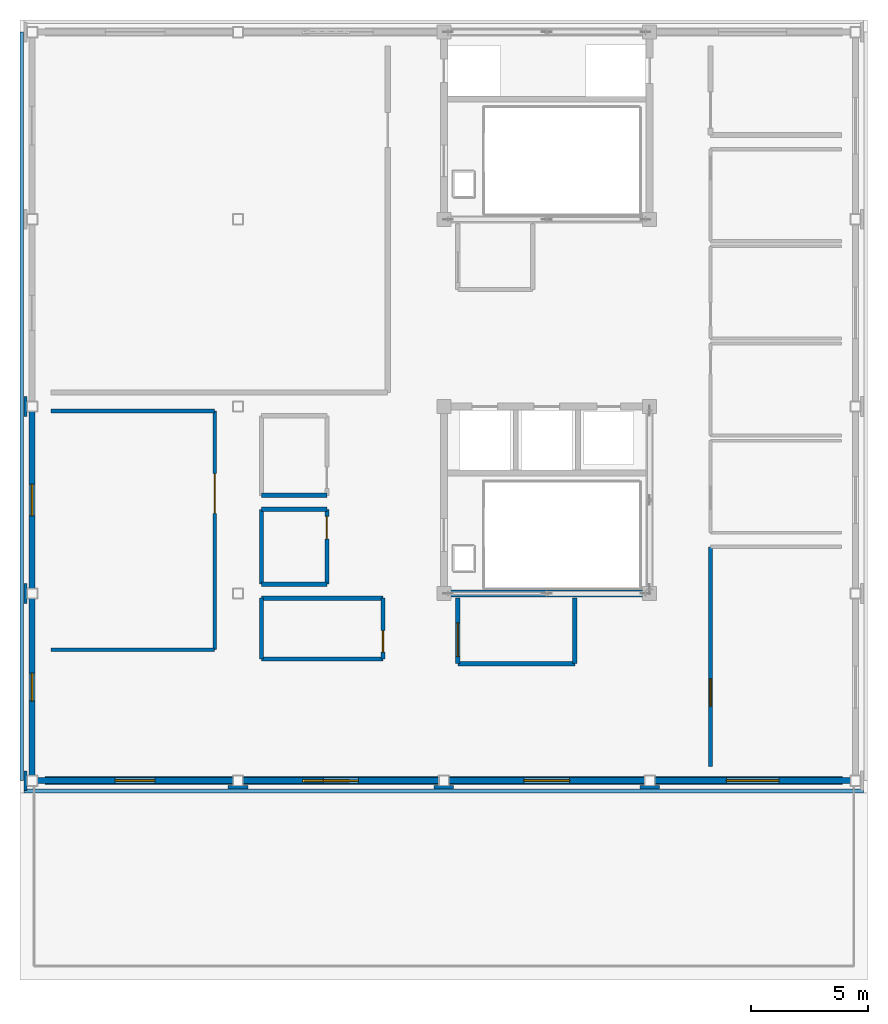
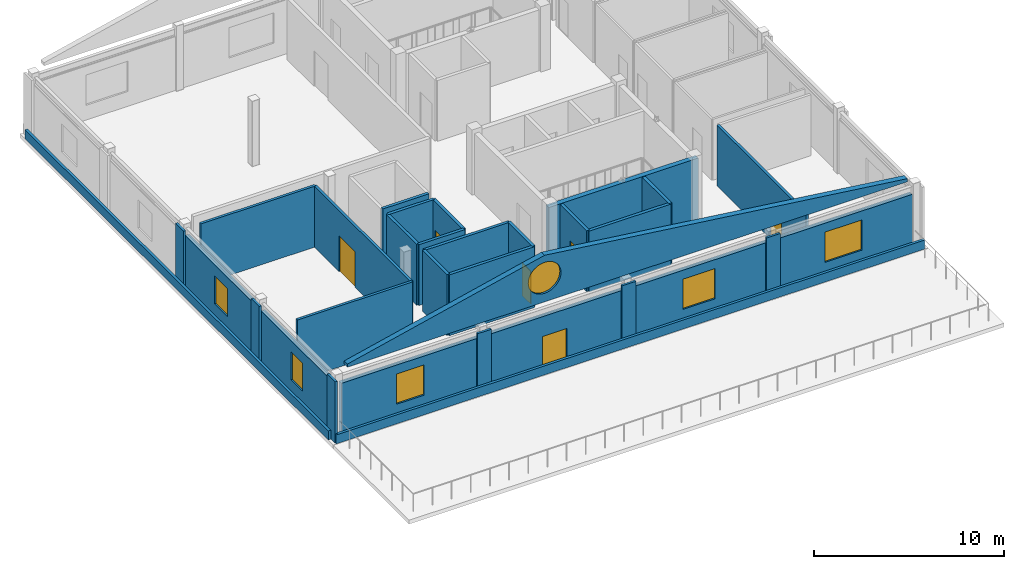
# One storey, part 7 of 10: 32 walls, 6 doors, 6 windows, 12 openings.
"""IFC4 building model written with IfcOpenShell, lengths in metres."""

from ifc_helpers import new_model, si_unit, direction, frame, frame_2d, origin, place, context, subcontext, project, spatial, polyline, rectangle, outline, extrude, material, layer, layer_set, type_object, element, fill, save


model = new_model("IFC4")

# Units and contexts
model_context = context("Model", 3, precision=1e-05, world=origin(), true_north=direction((0.0, 1.0)))
body_context = subcontext(model_context, "Body", "Model", "MODEL_VIEW")
ifc_project = project(units=[si_unit("LENGTHUNIT", "METRE"), si_unit("AREAUNIT", "SQUARE_METRE"), si_unit("VOLUMEUNIT", "CUBIC_METRE"), si_unit("PLANEANGLEUNIT", "RADIAN"), si_unit("MASSUNIT", "GRAM", prefix="KILO")], contexts=[model_context])

# Site, building, storey
site_placement = place(None, origin())
site = spatial("IfcSite", under=ifc_project, at=site_placement, CompositionType="ELEMENT")
building_placement = place(site_placement, origin())
building = spatial("IfcBuilding", under=site, at=building_placement, Name="Zhaolan Boulevard Law Courts", CompositionType="ELEMENT")
storey_placement = place(building_placement, frame((0.0, 0.0, 41.39990234375)))
storey = spatial("IfcBuildingStorey", under=building, at=storey_placement, Name="L09", CompositionType="ELEMENT", Elevation=41.39990234375)

# Walls
ifc_material_1 = material(Name="Concrete C50", Category="concrete")
ifc_layer_1 = layer(ifc_material_1, 0.300048828125)
ifc_layer_set_1 = layer_set([ifc_layer_1])
wall_type_1 = type_object("IfcWallType", Name="CORE SHEAR WALL 300", PredefinedType="SHEAR", material=ifc_layer_set_1)
wall_1_placement = place(storey_placement, frame((17.449951171875, 46.0, 0.0), z_axis=(0.0, 0.0, 1.0), x_axis=(1.0, 0.0, 0.0)))
element("IfcWall", 1, at=wall_1_placement, inside=storey, type_object=wall_type_1, Name="Core Shear Wall CW-W1-L09S", PredefinedType="SHEAR", context=body_context, shape_type="SweptSolid", body=[
    extrude(rectangle(XDim=9.10009765625, YDim=0.300048828125, at=frame_2d((4.550048828125, 0.0))), origin(), (0.0, 0.0, 1.0), 3.920166015625),
])
ifc_material_2 = material(Name="Concrete C40", Category="concrete")
ifc_layer_2 = layer(ifc_material_2, 0.139892578125)
ifc_layer_set_2 = layer_set([ifc_layer_2])
wall_type_2 = type_object("IfcWallType", Name="EXT WALL ARCH CLAD140", PredefinedType="SOLIDWALL", material=ifc_layer_set_2)
for number, where, z_axis, x_axis, name in (
    (2, (-0.280029296875, 37.580078125, 0.0), (0.0, 0.0, 1.0), (0.0, 1.0, 0.0), "Concrete Column Cloak Pier CPR-202"),
    (3, (-0.280029296875, 45.580078125, 0.0), (0.0, 0.0, 1.0), (0.0, 1.0, 0.0), "Concrete Column Cloak Pier CPR-204"),
    (4, (-0.280029296875, 53.580078125, 0.0), (0.0, 0.0, 1.0), (0.0, 1.0, 0.0), "Concrete Column Cloak Pier CPR-206"),
):
    element("IfcWall", number, at=place(storey_placement, frame(where, z_axis=z_axis, x_axis=x_axis)), inside=storey, type_object=wall_type_2, Name=name, PredefinedType="SOLIDWALL", context=body_context, shape_type="SweptSolid", body=[
        extrude(rectangle(XDim=0.83984375, YDim=0.139892578125, at=frame_2d((0.419921875, 0.0))), origin(), (0.0, 0.0, 1.0), 3.940185546875),
    ])
for number, where, z_axis, x_axis, name in (
    (5, (8.3798828125, 37.719970703125, 0.0), (0.0, 0.0, 1.0), (1.0, 0.0, 0.0), "Concrete Column Cloak Pier CPR-212"),
    (6, (17.179931640625, 37.719970703125, 0.0), (0.0, 0.0, 1.0), (1.0, 0.0, 0.0), "Concrete Column Cloak Pier CPR-213"),
    (7, (25.97998046875, 37.719970703125, 0.0), (0.0, 0.0, 1.0), (1.0, 0.0, 0.0), "Concrete Column Cloak Pier CPR-214"),
):
    element("IfcWall", number, at=place(storey_placement, frame(where, z_axis=z_axis, x_axis=x_axis)), inside=storey, type_object=wall_type_2, Name=name, PredefinedType="SOLIDWALL", context=body_context, shape_type="SweptSolid", body=[
        extrude(rectangle(XDim=0.840087890625, YDim=0.139892578125, at=frame_2d((0.419921875, 0.0))), origin(), (0.0, 0.0, 1.0), 3.940185546875),
    ])
ifc_material_3 = material(Name="Concrete C40", Category="concrete")
ifc_layer_3 = layer(ifc_material_3, 0.159912109375)
ifc_layer_set_3 = layer_set([ifc_layer_3])
wall_type_3 = type_object("IfcWallType", Name="EXT WALL ARCH CLAD160", PredefinedType="SOLIDWALL", material=ifc_layer_set_3)
wall_2_placement = place(storey_placement, frame((-0.43994140625, 70.0, 0.0), z_axis=(0.0, 0.0, 1.0), x_axis=(0.0, -1.0, 0.0)))
element("IfcWall", 8, at=wall_2_placement, inside=storey, type_object=wall_type_3, Name="Sculpted Concrete Spandrel Band CBW-198", PredefinedType="SOLIDWALL", context=body_context, shape_type="SweptSolid", body=[
    extrude(rectangle(XDim=32.0, YDim=0.159912109375, at=frame_2d((16.0, 0.0))), origin(), (0.0, 0.0, 1.0), 0.580078125),
])
wall_3_placement = place(storey_placement, frame((-0.340087890625, 37.56005859375, 0.0), z_axis=(0.0, 0.0, 1.0), x_axis=(1.0, 0.0, 0.0)))
element("IfcWall", 9, at=wall_3_placement, inside=storey, type_object=wall_type_3, Name="Sculpted Concrete Spandrel Band CBW-200", PredefinedType="SOLIDWALL", context=body_context, shape_type="SweptSolid", body=[
    extrude(rectangle(XDim=35.880126953125, YDim=0.159912109375, at=frame_2d((17.93994140625, 0.0))), origin(), (0.0, 0.0, 1.0), 0.580078125),
])

# Wall, opening, window
ifc_material_4 = material(Name="Concrete C40", Category="concrete")
ifc_layer_4 = layer(ifc_material_4, 0.260009765625)
ifc_layer_set_4 = layer_set([ifc_layer_4])
wall_type_4 = type_object("IfcWallType", Name="EXT WALL CONCRETE260", PredefinedType="SOLIDWALL", material=ifc_layer_set_4)
wall_4_placement = place(storey_placement, frame((0.220947265625, 38.0, 0.0), z_axis=(0.0, 0.0, 1.0), x_axis=(1.0, 0.0, 0.0)))
wall_4 = element("IfcWall", 10, at=wall_4_placement, inside=storey, type_object=wall_type_4, Name="Exterior Wall EW-L09-425", PredefinedType="SOLIDWALL", context=body_context, shape_type="SweptSolid", body=[
    extrude(rectangle(XDim=8.358154296875, YDim=0.260009765625, at=frame_2d((4.17919921875, 0.0))), origin(), (0.0, 0.0, 1.0), 3.47314453125),
])
opening_1_placement = place(wall_4_placement, frame((3.3291015625, 0.0, 0.949951171875)))
opening_1 = element("IfcOpeningElement", 11, at=opening_1_placement, cuts=wall_4, Name="Opening WIN-L09-274", PredefinedType="OPENING", context=body_context, shape_type="SweptSolid", body=[
    extrude(rectangle(XDim=1.699951171875, YDim=1.949951171875, at=frame_2d((0.85009765625, 0.97509765625))), frame((0.0, 0.139892578125, 0.0), z_axis=(0.0, -1.0, 0.0), x_axis=(1.0, 0.0, 0.0)), (0.0, 0.0, 1.0), 0.280029296875),
])
ifc_material_5 = material(Name="Thermally broken aluminium and low-E glazing", Category="aluminium")
window_type_1 = type_object("IfcWindowType", Name="WINDOW 1700X1950", PartitioningType="SINGLE_PANEL", PredefinedType="WINDOW", material=ifc_material_5)
window_1_placement = place(opening_1_placement, origin())
window_1 = element("IfcWindow", 12, at=window_1_placement, inside=storey, type_object=window_type_1, Name="Exterior Window WIN-L09-274", OverallHeight=1.949951171875, OverallWidth=1.699951171875, PartitioningType="SINGLE_PANEL", PredefinedType="WINDOW", context=body_context, shape_type="SweptSolid", body=[
    extrude(rectangle(XDim=1.699951171875, YDim=1.949951171875, at=frame_2d((0.85009765625, 0.97509765625))), frame((0.0, 0.030029296875, 0.0), z_axis=(0.0, -1.0, 0.0), x_axis=(1.0, 0.0, 0.0)), (0.0, 0.0, 1.0), 0.06005859375),
])
fill(opening_1, window_1)

# Wall, opening, door
wall_5_placement = place(storey_placement, frame((9.02099609375, 38.0, 0.0), z_axis=(0.0, 0.0, 1.0), x_axis=(1.0, 0.0, 0.0)))
wall_5 = element("IfcWall", 13, at=wall_5_placement, inside=storey, type_object=wall_type_4, Name="Exterior Wall EW-L09-426", PredefinedType="SOLIDWALL", context=body_context, shape_type="SweptSolid", body=[
    extrude(rectangle(XDim=8.35791015625, YDim=0.260009765625, at=frame_2d((4.178955078125, 0.0))), origin(), (0.0, 0.0, 1.0), 3.47314453125),
])
opening_2_placement = place(wall_5_placement, frame((3.428955078125, 0.0, 0.0)))
opening_2 = element("IfcOpeningElement", 14, at=opening_2_placement, cuts=wall_5, Name="Opening TD-L09-01", PredefinedType="OPENING", context=body_context, shape_type="SweptSolid", body=[
    extrude(rectangle(XDim=1.5, YDim=2.199951171875, at=frame_2d((0.75, 1.10009765625))), frame((0.0, 0.139892578125, 0.0), z_axis=(0.0, -1.0, 0.0), x_axis=(1.0, 0.0, 0.0)), (0.0, 0.0, 1.0), 0.280029296875),
])
ifc_material_6 = material(Name="Insulated powder-coated steel and safety glass", Category="steel")
door_type_1 = type_object("IfcDoorType", Name="TERRACE DOOR 1500X2200", OperationType="SINGLE_SWING_LEFT", PredefinedType="DOOR", material=ifc_material_6)
door_1_placement = place(opening_2_placement, origin())
door_1 = element("IfcDoor", 15, at=door_1_placement, inside=storey, type_object=door_type_1, Name="Terrace Access Door TD-L09-01", OperationType="SINGLE_SWING_LEFT", OverallHeight=2.199951171875, OverallWidth=1.5, PredefinedType="DOOR", context=body_context, shape_type="SweptSolid", body=[
    extrude(rectangle(XDim=1.5, YDim=2.199951171875, at=frame_2d((0.75, 1.10009765625))), frame((0.0, 0.02490234375, 0.0), z_axis=(0.0, -1.0, 0.0), x_axis=(1.0, 0.0, 0.0)), (0.0, 0.0, 1.0), 0.050048828125),
])
fill(opening_2, door_1)

# Wall, opening, window
wall_6_placement = place(storey_placement, frame((17.821044921875, 38.0, 0.0), z_axis=(0.0, 0.0, 1.0), x_axis=(1.0, 0.0, 0.0)))
wall_6 = element("IfcWall", 16, at=wall_6_placement, inside=storey, type_object=wall_type_4, Name="Exterior Wall EW-L09-427", PredefinedType="SOLIDWALL", context=body_context, shape_type="SweptSolid", body=[
    extrude(rectangle(XDim=8.35791015625, YDim=0.260009765625, at=frame_2d((4.178955078125, 0.0))), origin(), (0.0, 0.0, 1.0), 3.47314453125),
])
opening_3_placement = place(wall_6_placement, frame((3.2041015625, 0.0, 0.949951171875)))
opening_3 = element("IfcOpeningElement", 17, at=opening_3_placement, cuts=wall_6, Name="Opening WIN-L09-275", PredefinedType="OPENING", context=body_context, shape_type="SweptSolid", body=[
    extrude(rectangle(XDim=1.949951171875, YDim=1.949951171875, at=frame_2d((0.97509765625, 0.97509765625))), frame((0.0, 0.139892578125, 0.0), z_axis=(0.0, -1.0, 0.0), x_axis=(1.0, 0.0, 0.0)), (0.0, 0.0, 1.0), 0.280029296875),
])
ifc_material_7 = material(Name="Thermally broken aluminium and low-E glazing", Category="aluminium")
window_type_2 = type_object("IfcWindowType", Name="WINDOW 1950X1950", PartitioningType="DOUBLE_PANEL_VERTICAL", PredefinedType="WINDOW", material=ifc_material_7)
window_2_placement = place(opening_3_placement, origin())
window_2 = element("IfcWindow", 18, at=window_2_placement, inside=storey, type_object=window_type_2, Name="Exterior Window WIN-L09-275", OverallHeight=1.949951171875, OverallWidth=1.949951171875, PartitioningType="SINGLE_PANEL", PredefinedType="WINDOW", context=body_context, shape_type="SweptSolid", body=[
    extrude(rectangle(XDim=1.949951171875, YDim=1.949951171875, at=frame_2d((0.97509765625, 0.97509765625))), frame((0.0, 0.030029296875, 0.0), z_axis=(0.0, -1.0, 0.0), x_axis=(1.0, 0.0, 0.0)), (0.0, 0.0, 1.0), 0.06005859375),
])
fill(opening_3, window_2)

wall_7_placement = place(storey_placement, frame((26.62109375, 38.0, 0.0), z_axis=(0.0, 0.0, 1.0), x_axis=(1.0, 0.0, 0.0)))
wall_7 = element("IfcWall", 19, at=wall_7_placement, inside=storey, type_object=wall_type_4, Name="Exterior Wall EW-L09-428", PredefinedType="SOLIDWALL", context=body_context, shape_type="SweptSolid", body=[
    extrude(rectangle(XDim=8.35791015625, YDim=0.260009765625, at=frame_2d((4.178955078125, 0.0))), origin(), (0.0, 0.0, 1.0), 3.47314453125),
])
opening_4_placement = place(wall_7_placement, frame((3.053955078125, 0.0, 0.949951171875)))
opening_4 = element("IfcOpeningElement", 20, at=opening_4_placement, cuts=wall_7, Name="Opening WIN-L09-276", PredefinedType="OPENING", context=body_context, shape_type="SweptSolid", body=[
    extrude(rectangle(XDim=2.25, YDim=1.949951171875, at=frame_2d((1.125, 0.97509765625))), frame((0.0, 0.139892578125, 0.0), z_axis=(0.0, -1.0, 0.0), x_axis=(1.0, 0.0, 0.0)), (0.0, 0.0, 1.0), 0.280029296875),
])
ifc_material_8 = material(Name="Thermally broken aluminium and low-E glazing", Category="aluminium")
window_type_3 = type_object("IfcWindowType", Name="WINDOW 2250X1950", PartitioningType="DOUBLE_PANEL_VERTICAL", PredefinedType="WINDOW", material=ifc_material_8)
window_3_placement = place(opening_4_placement, origin())
window_3 = element("IfcWindow", 21, at=window_3_placement, inside=storey, type_object=window_type_3, Name="Exterior Window WIN-L09-276", OverallHeight=1.949951171875, OverallWidth=2.25, PartitioningType="SINGLE_PANEL", PredefinedType="WINDOW", context=body_context, shape_type="SweptSolid", body=[
    extrude(rectangle(XDim=2.25, YDim=1.949951171875, at=frame_2d((1.125, 0.97509765625))), frame((0.0, 0.030029296875, 0.0), z_axis=(0.0, -1.0, 0.0), x_axis=(1.0, 0.0, 0.0)), (0.0, 0.0, 1.0), 0.06005859375),
])
fill(opening_4, window_3)

wall_8_placement = place(storey_placement, frame((0.0, 45.779052734375, 0.0), z_axis=(0.0, 0.0, 1.0), x_axis=(0.0, -1.0, 0.0)))
wall_8 = element("IfcWall", 22, at=wall_8_placement, inside=storey, type_object=wall_type_4, Name="Exterior Wall EW-L09-432", PredefinedType="SOLIDWALL", context=body_context, shape_type="SweptSolid", body=[
    extrude(rectangle(XDim=7.55810546875, YDim=0.260009765625, at=frame_2d((3.779052734375, 0.0))), origin(), (0.0, 0.0, 1.0), 3.47314453125),
])
opening_5_placement = place(wall_8_placement, frame((3.178955078125, 0.0, 0.949951171875)))
opening_5 = element("IfcOpeningElement", 23, at=opening_5_placement, cuts=wall_8, Name="Opening WIN-L09-280", PredefinedType="OPENING", context=body_context, shape_type="SweptSolid", body=[
    extrude(rectangle(XDim=1.199951171875, YDim=1.800048828125, at=frame_2d((0.60009765625, 0.89990234375))), frame((0.0, 0.139892578125, 0.0), z_axis=(0.0, -1.0, 0.0), x_axis=(1.0, 0.0, 0.0)), (0.0, 0.0, 1.0), 0.280029296875),
])
ifc_material_9 = material(Name="Thermally broken aluminium and low-E glazing", Category="aluminium")
window_type_4 = type_object("IfcWindowType", Name="WINDOW 1200X1800", PartitioningType="SINGLE_PANEL", PredefinedType="WINDOW", material=ifc_material_9)
window_4_placement = place(opening_5_placement, origin())
window_4 = element("IfcWindow", 24, at=window_4_placement, inside=storey, type_object=window_type_4, Name="Exterior Window WIN-L09-280", OverallHeight=1.800048828125, OverallWidth=1.199951171875, PartitioningType="SINGLE_PANEL", PredefinedType="WINDOW", context=body_context, shape_type="SweptSolid", body=[
    extrude(rectangle(XDim=1.199951171875, YDim=1.800048828125, at=frame_2d((0.60009765625, 0.89990234375))), frame((0.0, 0.030029296875, 0.0), z_axis=(0.0, -1.0, 0.0), x_axis=(1.0, 0.0, 0.0)), (0.0, 0.0, 1.0), 0.06005859375),
])
fill(opening_5, window_4)

wall_9_placement = place(storey_placement, frame((0.0, 53.779052734375, 0.0), z_axis=(0.0, 0.0, 1.0), x_axis=(0.0, -1.0, 0.0)))
wall_9 = element("IfcWall", 25, at=wall_9_placement, inside=storey, type_object=wall_type_4, Name="Exterior Wall EW-L09-433", PredefinedType="SOLIDWALL", context=body_context, shape_type="SweptSolid", body=[
    extrude(rectangle(XDim=7.55810546875, YDim=0.260009765625, at=frame_2d((3.779052734375, 0.0))), origin(), (0.0, 0.0, 1.0), 3.47314453125),
])
opening_6_placement = place(wall_9_placement, frame((3.10400390625, 0.0, 0.949951171875)))
opening_6 = element("IfcOpeningElement", 26, at=opening_6_placement, cuts=wall_9, Name="Opening WIN-L09-281", PredefinedType="OPENING", context=body_context, shape_type="SweptSolid", body=[
    extrude(rectangle(XDim=1.35009765625, YDim=1.800048828125, at=frame_2d((0.675048828125, 0.89990234375))), frame((0.0, 0.139892578125, 0.0), z_axis=(0.0, -1.0, 0.0), x_axis=(1.0, 0.0, 0.0)), (0.0, 0.0, 1.0), 0.280029296875),
])
ifc_material_10 = material(Name="Thermally broken aluminium and low-E glazing", Category="aluminium")
window_type_5 = type_object("IfcWindowType", Name="WINDOW 1350X1800", PartitioningType="SINGLE_PANEL", PredefinedType="WINDOW", material=ifc_material_10)
window_5_placement = place(opening_6_placement, origin())
window_5 = element("IfcWindow", 27, at=window_5_placement, inside=storey, type_object=window_type_5, Name="Exterior Window WIN-L09-281", OverallHeight=1.800048828125, OverallWidth=1.35009765625, PartitioningType="SINGLE_PANEL", PredefinedType="WINDOW", context=body_context, shape_type="SweptSolid", body=[
    extrude(rectangle(XDim=1.35009765625, YDim=1.800048828125, at=frame_2d((0.675048828125, 0.89990234375))), frame((0.0, 0.030029296875, 0.0), z_axis=(0.0, -1.0, 0.0), x_axis=(1.0, 0.0, 0.0)), (0.0, 0.0, 1.0), 0.06005859375),
])
fill(opening_6, window_5)

ifc_material_11 = material(Name="Concrete C40", Category="concrete")
ifc_layer_5 = layer(ifc_material_11, 0.340087890625)
ifc_layer_set_5 = layer_set([ifc_layer_5])
wall_type_5 = type_object("IfcWallType", Name="EXT WALL GABLE340", PredefinedType="SOLIDWALL", material=ifc_layer_set_5)
wall_10_placement = place(storey_placement, frame((0.550048828125, 38.0, 4.420166015625), z_axis=(0.0, 0.0, 1.0), x_axis=(1.0, 0.0, 0.0)))
wall_10 = element("IfcWall", 28, at=wall_10_placement, inside=storey, type_object=wall_type_5, Name="Sculpted Concrete Gable Wall GW-CRNS", PredefinedType="SOLIDWALL", context=body_context, shape_type="SweptSolid", body=[
    extrude(outline(polyline([(0.0, 0.0), (34.099853515625, 0.0), (34.10009765625, 0.199951171875), (12.011962890625, 3.0), (0.0, 0.199951171875), (0.0, 0.0)])), frame((0.0, 0.169921875, 0.0), z_axis=(0.0, -1.0, 0.0), x_axis=(1.0, 0.0, 0.0)), (0.0, 0.0, 1.0), 0.340087890625),
])
opening_7_placement = place(wall_10_placement, frame((11.011962890625, 0.0, 0.550048828125)))
opening_7 = element("IfcOpeningElement", 29, at=opening_7_placement, cuts=wall_10, Name="Opening OC-CRNS", PredefinedType="OPENING", context=body_context, shape_type="SweptSolid", body=[
    extrude(outline(polyline([(2.0, 1.0), (1.98486328125, 1.173583984375), (1.939697265625, 1.342041015625), (1.865966796875, 1.5), (1.76611328125, 1.642822265625), (1.642822265625, 1.76611328125), (1.5, 1.865966796875), (1.342041015625, 1.939697265625), (1.173583984375, 1.98486328125), (1.0, 2.0), (0.826416015625, 1.98486328125), (0.657958984375, 1.939697265625), (0.5, 1.865966796875), (0.357177734375, 1.76611328125), (0.23388671875, 1.642822265625), (0.134033203125, 1.5), (0.060302734375, 1.342041015625), (0.01513671875, 1.173583984375), (0.0, 1.0), (0.01513671875, 0.826416015625), (0.060302734375, 0.657958984375), (0.134033203125, 0.5), (0.23388671875, 0.357177734375), (0.357177734375, 0.23388671875), (0.5, 0.134033203125), (0.657958984375, 0.060302734375), (0.826416015625, 0.01513671875), (1.0, 0.0), (1.173583984375, 0.01513671875), (1.342041015625, 0.060302734375), (1.5, 0.134033203125), (1.642822265625, 0.23388671875), (1.76611328125, 0.357177734375), (1.865966796875, 0.5), (1.939697265625, 0.657958984375), (1.98486328125, 0.826416015625), (2.0, 1.0)])), frame((0.0, 0.179931640625, 0.0), z_axis=(0.0, -1.0, 0.0), x_axis=(1.0, 0.0, 0.0)), (0.0, 0.0, 1.0), 0.360107421875),
])
ifc_material_12 = material(Name="Thermally broken aluminium and laminated low-E glass", Category="aluminium")
window_type_6 = type_object("IfcWindowType", Name="OCULUS WINDOW D2000", PartitioningType="SINGLE_PANEL", PredefinedType="WINDOW", material=ifc_material_12)
window_6_placement = place(opening_7_placement, origin())
window_6 = element("IfcWindow", 30, at=window_6_placement, inside=storey, type_object=window_type_6, Name="Circular Gable Oculus Window OC-CRNS", OverallHeight=2.0, OverallWidth=2.0, PartitioningType="SINGLE_PANEL", PredefinedType="WINDOW", context=body_context, shape_type="SweptSolid", body=[
    extrude(outline(polyline([(2.0, 1.0), (1.98486328125, 1.173583984375), (1.939697265625, 1.342041015625), (1.865966796875, 1.5), (1.76611328125, 1.642822265625), (1.642822265625, 1.76611328125), (1.5, 1.865966796875), (1.342041015625, 1.939697265625), (1.173583984375, 1.98486328125), (1.0, 2.0), (0.826416015625, 1.98486328125), (0.657958984375, 1.939697265625), (0.5, 1.865966796875), (0.357177734375, 1.76611328125), (0.23388671875, 1.642822265625), (0.134033203125, 1.5), (0.060302734375, 1.342041015625), (0.01513671875, 1.173583984375), (0.0, 1.0), (0.01513671875, 0.826416015625), (0.060302734375, 0.657958984375), (0.134033203125, 0.5), (0.23388671875, 0.357177734375), (0.357177734375, 0.23388671875), (0.5, 0.134033203125), (0.657958984375, 0.060302734375), (0.826416015625, 0.01513671875), (1.0, 0.0), (1.173583984375, 0.01513671875), (1.342041015625, 0.060302734375), (1.5, 0.134033203125), (1.642822265625, 0.23388671875), (1.76611328125, 0.357177734375), (1.865966796875, 0.5), (1.939697265625, 0.657958984375), (1.98486328125, 0.826416015625), (2.0, 1.0)])), frame((0.0, 0.0400390625, 0.0), z_axis=(0.0, -1.0, 0.0), x_axis=(1.0, 0.0, 0.0)), (0.0, 0.0, 1.0), 0.080078125),
])
fill(opening_7, window_6)

# Wall
ifc_material_13 = material(Name="Acoustic gypsum and mineral-wool stud")
ifc_layer_6 = layer(ifc_material_13, 0.18994140625)
ifc_layer_set_6 = layer_set([ifc_layer_6])
wall_type_6 = type_object("IfcWallType", Name="PART WALL ACOUST190", PredefinedType="PARTITIONING", material=ifc_layer_set_6)
wall_11_placement = place(storey_placement, frame((18.199951171875, 43.0, 0.0), z_axis=(0.0, 0.0, 1.0), x_axis=(1.0, 0.0, 0.0)))
element("IfcWall", 31, at=wall_11_placement, inside=storey, type_object=wall_type_6, Name="Interior Partition PW-L09-061", PredefinedType="PARTITIONING", context=body_context, shape_type="SweptSolid", body=[
    extrude(rectangle(XDim=5.0, YDim=0.18994140625, at=frame_2d((2.5, 0.0))), origin(), (0.0, 0.0, 1.0), 3.920166015625),
])

# Wall, opening, door
wall_12_placement = place(storey_placement, frame((18.199951171875, 45.800048828125, 0.0), z_axis=(0.0, 0.0, 1.0), x_axis=(0.0, -1.0, 0.0)))
wall_12 = element("IfcWall", 32, at=wall_12_placement, inside=storey, type_object=wall_type_6, Name="Interior Partition PW-L09-062", PredefinedType="PARTITIONING", context=body_context, shape_type="SweptSolid", body=[
    extrude(rectangle(XDim=2.800048828125, YDim=0.18994140625, at=frame_2d((1.39990234375, 0.0))), origin(), (0.0, 0.0, 1.0), 3.920166015625),
])
opening_8_placement = place(wall_12_placement, frame((1.050048828125, 0.0, 0.0)))
opening_8 = element("IfcOpeningElement", 33, at=opening_8_placement, cuts=wall_12, Name="Opening FD-L09-021", PredefinedType="OPENING", context=body_context, shape_type="SweptSolid", body=[
    extrude(rectangle(XDim=1.449951171875, YDim=2.199951171875, at=frame_2d((0.72509765625, 1.10009765625))), frame((0.0, 0.10498046875, 0.0), z_axis=(0.0, -1.0, 0.0), x_axis=(1.0, 0.0, 0.0)), (0.0, 0.0, 1.0), 0.2099609375),
])
ifc_material_14 = material(Name="Fire-rated steel acoustic door", Category="steel")
door_type_2 = type_object("IfcDoorType", Name="LOBBY FIRE 1450X2200 L", OperationType="SINGLE_SWING_LEFT", PredefinedType="DOOR", material=ifc_material_14)
door_2_placement = place(opening_8_placement, origin())
door_2 = element("IfcDoor", 34, at=door_2_placement, inside=storey, type_object=door_type_2, Name="Door FD-L09-021 (Lobby Firefighting Lift L09-W1)", OperationType="SINGLE_SWING_LEFT", OverallHeight=2.199951171875, OverallWidth=1.449951171875, PredefinedType="DOOR", context=body_context, shape_type="SweptSolid", body=[
    extrude(rectangle(XDim=1.449951171875, YDim=2.199951171875, at=frame_2d((0.72509765625, 1.10009765625))), frame((0.0, 0.02490234375, 0.0), z_axis=(0.0, -1.0, 0.0), x_axis=(1.0, 0.0, 0.0)), (0.0, 0.0, 1.0), 0.050048828125),
])
fill(opening_8, door_2)

# Wall
wall_13_placement = place(storey_placement, frame((23.199951171875, 43.0, 0.0), z_axis=(0.0, 0.0, 1.0), x_axis=(0.0, 1.0, 0.0)))
element("IfcWall", 35, at=wall_13_placement, inside=storey, type_object=wall_type_6, Name="Interior Partition PW-L09-063", PredefinedType="PARTITIONING", context=body_context, shape_type="SweptSolid", body=[
    extrude(rectangle(XDim=2.800048828125, YDim=0.18994140625, at=frame_2d((1.39990234375, 0.0))), origin(), (0.0, 0.0, 1.0), 3.920166015625),
])

# Wall, opening, door
ifc_material_15 = material(Name="Fire-rated gypsum stud partition")
ifc_layer_7 = layer(ifc_material_15, 0.159912109375)
ifc_layer_set_7 = layer_set([ifc_layer_7])
wall_type_7 = type_object("IfcWallType", Name="PART WALL CHAMB160", PredefinedType="PARTITIONING", material=ifc_layer_set_7)
wall_14_placement = place(storey_placement, frame((29.0, 48.0, 0.0), z_axis=(0.0, 0.0, 1.0), x_axis=(0.0, -1.0, 0.0)))
wall_14 = element("IfcWall", 36, at=wall_14_placement, inside=storey, type_object=wall_type_7, Name="Interior Partition PW-L09-733", PredefinedType="PARTITIONING", context=body_context, shape_type="SweptSolid", body=[
    extrude(rectangle(XDim=9.39990234375, YDim=0.159912109375, at=frame_2d((4.699951171875, 0.0))), origin(), (0.0, 0.0, 1.0), 3.920166015625),
])
opening_9_placement = place(wall_14_placement, frame((5.634033203125, 0.0, 0.0)))
opening_9 = element("IfcOpeningElement", 37, at=opening_9_placement, cuts=wall_14, Name="Opening MD-L09-228", PredefinedType="OPENING", context=body_context, shape_type="SweptSolid", body=[
    extrude(rectangle(XDim=1.179931640625, YDim=2.199951171875, at=frame_2d((0.58984375, 1.10009765625))), frame((0.0, 0.08984375, 0.0), z_axis=(0.0, -1.0, 0.0), x_axis=(1.0, 0.0, 0.0)), (0.0, 0.0, 1.0), 0.179931640625),
])
ifc_material_16 = material(Name="Solid-core acoustic oak veneer door")
door_type_3 = type_object("IfcDoorType", Name="MED DOOR 1180X2200 R", OperationType="SINGLE_SWING_RIGHT", PredefinedType="DOOR", material=ifc_material_16)
door_3_placement = place(opening_9_placement, origin())
door_3 = element("IfcDoor", 38, at=door_3_placement, inside=storey, type_object=door_type_3, Name="Door MD-L09-228 (Judicial Seminar Conference Room)", OperationType="SINGLE_SWING_RIGHT", OverallHeight=2.199951171875, OverallWidth=1.179931640625, PredefinedType="DOOR", context=body_context, shape_type="SweptSolid", body=[
    extrude(rectangle(XDim=1.179931640625, YDim=2.199951171875, at=frame_2d((0.58984375, 1.10009765625))), frame((0.0, 0.02490234375, 0.0), z_axis=(0.0, -1.0, 0.0), x_axis=(1.0, 0.0, 0.0)), (0.0, 0.0, 1.0), 0.050048828125),
])
fill(opening_9, door_3)

# Walls
for number, where, z_axis, x_axis, name in (
    (39, (0.800048828125, 43.60009765625, 0.0), (0.0, 0.0, 1.0), (1.0, 0.0, 0.0), "Interior Partition PW-L09-812"),
    (40, (7.800048828125, 53.800048828125, 0.0), (0.0, 0.0, 1.0), (-1.0, 0.0, 0.0), "Interior Partition PW-L09-813"),
):
    element("IfcWall", number, at=place(storey_placement, frame(where, z_axis=z_axis, x_axis=x_axis)), inside=storey, type_object=wall_type_7, Name=name, PredefinedType="PARTITIONING", context=body_context, shape_type="SweptSolid", body=[
        extrude(rectangle(XDim=7.0, YDim=0.159912109375, at=frame_2d((3.5, 0.0))), origin(), (0.0, 0.0, 1.0), 3.920166015625),
    ])

# Wall, opening, door
wall_15_placement = place(storey_placement, frame((7.800048828125, 43.60009765625, 0.0), z_axis=(0.0, 0.0, 1.0), x_axis=(0.0, 1.0, 0.0)))
wall_15 = element("IfcWall", 41, at=wall_15_placement, inside=storey, type_object=wall_type_7, Name="Interior Partition PW-L09-814", PredefinedType="PARTITIONING", context=body_context, shape_type="SweptSolid", body=[
    extrude(rectangle(XDim=10.199951171875, YDim=0.159912109375, at=frame_2d((5.10009765625, 0.0))), origin(), (0.0, 0.0, 1.0), 3.920166015625),
])
opening_10_placement = place(wall_15_placement, frame((5.830078125, 0.0, 0.0)))
opening_10 = element("IfcOpeningElement", 42, at=opening_10_placement, cuts=wall_15, Name="Opening ID-L09-256", PredefinedType="OPENING", context=body_context, shape_type="SweptSolid", body=[
    extrude(rectangle(XDim=1.699951171875, YDim=2.300048828125, at=frame_2d((0.85009765625, 1.14990234375))), frame((0.0, 0.08984375, 0.0), z_axis=(0.0, -1.0, 0.0), x_axis=(1.0, 0.0, 0.0)), (0.0, 0.0, 1.0), 0.179931640625),
])
ifc_material_17 = material(Name="Solid-core acoustic oak veneer door")
door_type_4 = type_object("IfcDoorType", Name="LIB DOUBLE 1700X2300", OperationType="DOUBLE_DOOR_SINGLE_SWING", PredefinedType="DOOR", material=ifc_material_17)
door_4_placement = place(opening_10_placement, origin())
door_4 = element("IfcDoor", 43, at=door_4_placement, inside=storey, type_object=door_type_4, Name="Door ID-L09-256 (Judicial Committee Reference Library L09)", OperationType="DOUBLE_DOOR_SINGLE_SWING", OverallHeight=2.300048828125, OverallWidth=1.699951171875, PredefinedType="DOOR", context=body_context, shape_type="SweptSolid", body=[
    extrude(rectangle(XDim=1.699951171875, YDim=2.300048828125, at=frame_2d((0.85009765625, 1.14990234375))), frame((0.0, 0.02490234375, 0.0), z_axis=(0.0, -1.0, 0.0), x_axis=(1.0, 0.0, 0.0)), (0.0, 0.0, 1.0), 0.050048828125),
])
fill(opening_10, door_4)

# Walls
ifc_material_18 = material(Name="Moisture-resistant masonry chase wall", Category="masonry")
ifc_layer_8 = layer(ifc_material_18, 0.179931640625)
ifc_layer_set_8 = layer_set([ifc_layer_8])
wall_type_8 = type_object("IfcWallType", Name="PLUMB WALL 180", PredefinedType="PLUMBINGWALL", material=ifc_layer_set_8)
for number, where, z_axis, x_axis, name in (
    (44, (9.800048828125, 46.39990234375, 0.0), (0.0, 0.0, 1.0), (1.0, 0.0, 0.0), "Interior Partition PW-L09-199"),
    (45, (12.60009765625, 49.60009765625, 0.0), (0.0, 0.0, 1.0), (-1.0, 0.0, 0.0), "Interior Partition PW-L09-200"),
):
    element("IfcWall", number, at=place(storey_placement, frame(where, z_axis=z_axis, x_axis=x_axis)), inside=storey, type_object=wall_type_8, Name=name, PredefinedType="PLUMBINGWALL", context=body_context, shape_type="SweptSolid", body=[
        extrude(rectangle(XDim=2.800048828125, YDim=0.179931640625, at=frame_2d((1.39990234375, 0.0))), origin(), (0.0, 0.0, 1.0), 3.920166015625),
    ])
wall_16_placement = place(storey_placement, frame((9.800048828125, 49.60009765625, 0.0), z_axis=(0.0, 0.0, 1.0), x_axis=(0.0, -1.0, 0.0)))
element("IfcWall", 46, at=wall_16_placement, inside=storey, type_object=wall_type_8, Name="Interior Partition PW-L09-201", PredefinedType="PLUMBINGWALL", context=body_context, shape_type="SweptSolid", body=[
    extrude(rectangle(XDim=3.2001953125, YDim=0.179931640625, at=frame_2d((1.60009765625, 0.0))), origin(), (0.0, 0.0, 1.0), 3.920166015625),
])

# Wall, opening, door
wall_17_placement = place(storey_placement, frame((12.60009765625, 46.39990234375, 0.0), z_axis=(0.0, 0.0, 1.0), x_axis=(0.0, 1.0, 0.0)))
wall_17 = element("IfcWall", 47, at=wall_17_placement, inside=storey, type_object=wall_type_8, Name="Interior Partition PW-L09-202", PredefinedType="PLUMBINGWALL", context=body_context, shape_type="SweptSolid", body=[
    extrude(rectangle(XDim=3.2001953125, YDim=0.179931640625, at=frame_2d((1.60009765625, 0.0))), origin(), (0.0, 0.0, 1.0), 3.920166015625),
])
opening_11_placement = place(wall_17_placement, frame((1.93994140625, 0.0, 0.0)))
opening_11 = element("IfcOpeningElement", 48, at=opening_11_placement, cuts=wall_17, Name="Opening WD-L09-058", PredefinedType="OPENING", context=body_context, shape_type="SweptSolid", body=[
    extrude(rectangle(XDim=0.9599609375, YDim=2.10009765625, at=frame_2d((0.47998046875, 1.050048828125))), frame((0.0, 0.099853515625, 0.0), z_axis=(0.0, -1.0, 0.0), x_axis=(1.0, 0.0, 0.0)), (0.0, 0.0, 1.0), 0.199951171875),
])
ifc_material_19 = material(Name="Solid-core acoustic oak veneer door")
door_type_5 = type_object("IfcDoorType", Name="WCDOOR ACC 960X2100 L", OperationType="SINGLE_SWING_LEFT", PredefinedType="DOOR", material=ifc_material_19)
door_5_placement = place(opening_11_placement, origin())
door_5 = element("IfcDoor", 49, at=door_5_placement, inside=storey, type_object=door_type_5, Name="Door WD-L09-058 (Accessible WC L09)", OperationType="SINGLE_SWING_LEFT", OverallHeight=2.10009765625, OverallWidth=0.9599609375, PredefinedType="DOOR", context=body_context, shape_type="SweptSolid", body=[
    extrude(rectangle(XDim=0.9599609375, YDim=2.10009765625, at=frame_2d((0.47998046875, 1.050048828125))), frame((0.0, 0.02490234375, 0.0), z_axis=(0.0, -1.0, 0.0), x_axis=(1.0, 0.0, 0.0)), (0.0, 0.0, 1.0), 0.050048828125),
])
fill(opening_11, door_5)

# Walls
wall_18_placement = place(storey_placement, frame((9.800048828125, 50.199951171875, 0.0), z_axis=(0.0, 0.0, 1.0), x_axis=(1.0, 0.0, 0.0)))
element("IfcWall", 50, at=wall_18_placement, inside=storey, type_object=wall_type_8, Name="Interior Partition PW-L09-203", PredefinedType="PLUMBINGWALL", context=body_context, shape_type="SweptSolid", body=[
    extrude(rectangle(XDim=2.800048828125, YDim=0.179931640625, at=frame_2d((1.39990234375, 0.0))), origin(), (0.0, 0.0, 1.0), 3.920166015625),
])
for number, where, z_axis, x_axis, name in (
    (51, (9.800048828125, 43.199951171875, 0.0), (0.0, 0.0, 1.0), (1.0, 0.0, 0.0), "Interior Partition PW-L09-207"),
    (52, (15.0, 45.800048828125, 0.0), (0.0, 0.0, 1.0), (-1.0, 0.0, 0.0), "Interior Partition PW-L09-208"),
):
    element("IfcWall", number, at=place(storey_placement, frame(where, z_axis=z_axis, x_axis=x_axis)), inside=storey, type_object=wall_type_8, Name=name, PredefinedType="PLUMBINGWALL", context=body_context, shape_type="SweptSolid", body=[
        extrude(rectangle(XDim=5.199951171875, YDim=0.179931640625, at=frame_2d((2.60009765625, 0.0))), origin(), (0.0, 0.0, 1.0), 3.920166015625),
    ])
wall_19_placement = place(storey_placement, frame((9.800048828125, 45.800048828125, 0.0), z_axis=(0.0, 0.0, 1.0), x_axis=(0.0, -1.0, 0.0)))
element("IfcWall", 53, at=wall_19_placement, inside=storey, type_object=wall_type_8, Name="Interior Partition PW-L09-209", PredefinedType="PLUMBINGWALL", context=body_context, shape_type="SweptSolid", body=[
    extrude(rectangle(XDim=2.60009765625, YDim=0.179931640625, at=frame_2d((1.300048828125, 0.0))), origin(), (0.0, 0.0, 1.0), 3.920166015625),
])

# Wall, opening, door
wall_20_placement = place(storey_placement, frame((15.0, 43.199951171875, 0.0), z_axis=(0.0, 0.0, 1.0), x_axis=(0.0, 1.0, 0.0)))
wall_20 = element("IfcWall", 54, at=wall_20_placement, inside=storey, type_object=wall_type_8, Name="Interior Partition PW-L09-210", PredefinedType="PLUMBINGWALL", context=body_context, shape_type="SweptSolid", body=[
    extrude(rectangle(XDim=2.60009765625, YDim=0.179931640625, at=frame_2d((1.300048828125, 0.0))), origin(), (0.0, 0.0, 1.0), 3.920166015625),
])
opening_12_placement = place(wall_20_placement, frame((0.300048828125, 0.0, 0.0)))
opening_12 = element("IfcOpeningElement", 55, at=opening_12_placement, cuts=wall_20, Name="Opening WD-L09-060", PredefinedType="OPENING", context=body_context, shape_type="SweptSolid", body=[
    extrude(rectangle(XDim=0.919921875, YDim=2.10009765625, at=frame_2d((0.4599609375, 1.050048828125))), frame((0.0, 0.099853515625, 0.0), z_axis=(0.0, -1.0, 0.0), x_axis=(1.0, 0.0, 0.0)), (0.0, 0.0, 1.0), 0.199951171875),
])
ifc_material_20 = material(Name="Solid-core acoustic oak veneer door")
door_type_6 = type_object("IfcDoorType", Name="WCDOOR PUB 920X2100 R", OperationType="SINGLE_SWING_RIGHT", PredefinedType="DOOR", material=ifc_material_20)
door_6_placement = place(opening_12_placement, origin())
door_6 = element("IfcDoor", 56, at=door_6_placement, inside=storey, type_object=door_type_6, Name="Door WD-L09-060 (WC Public Female L09)", OperationType="SINGLE_SWING_RIGHT", OverallHeight=2.10009765625, OverallWidth=0.919921875, PredefinedType="DOOR", context=body_context, shape_type="SweptSolid", body=[
    extrude(rectangle(XDim=0.919921875, YDim=2.10009765625, at=frame_2d((0.4599609375, 1.050048828125))), frame((0.0, 0.02490234375, 0.0), z_axis=(0.0, -1.0, 0.0), x_axis=(1.0, 0.0, 0.0)), (0.0, 0.0, 1.0), 0.050048828125),
])
fill(opening_12, door_6)

save(model, "model.ifc")
